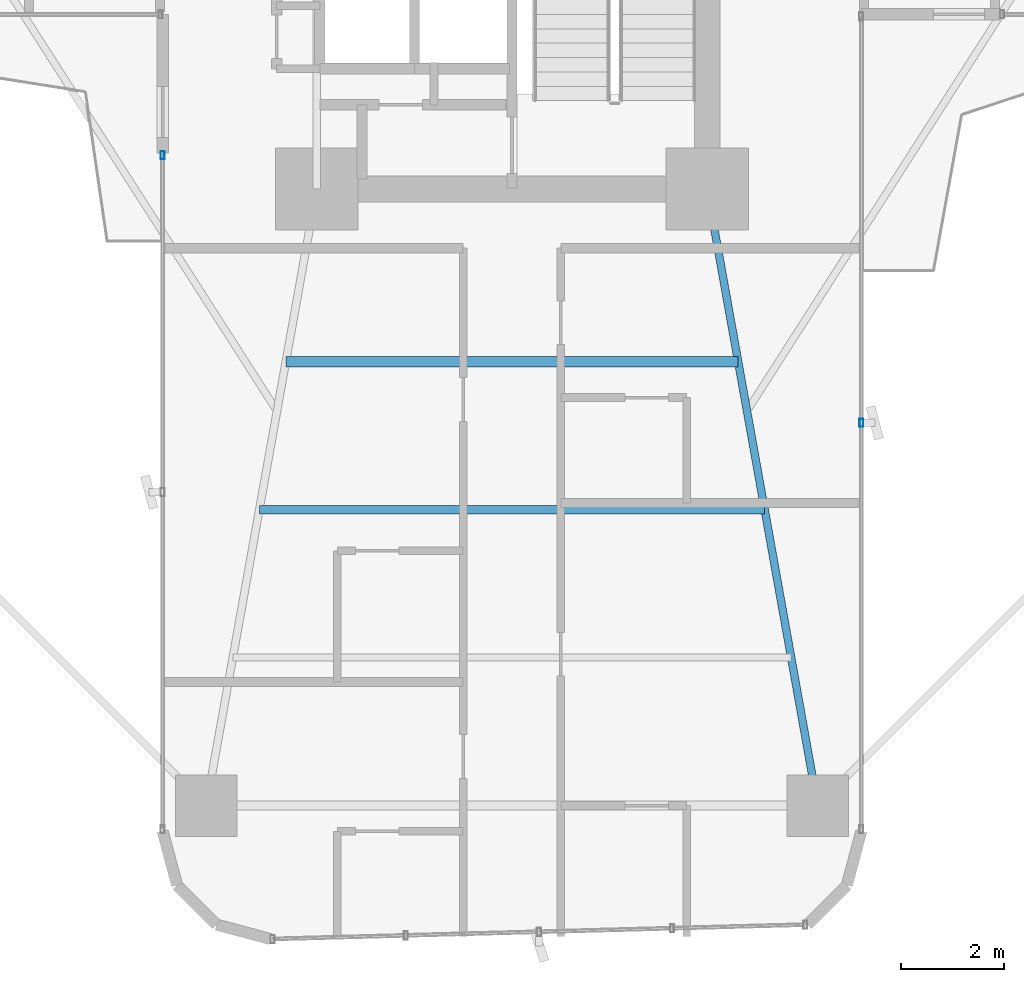
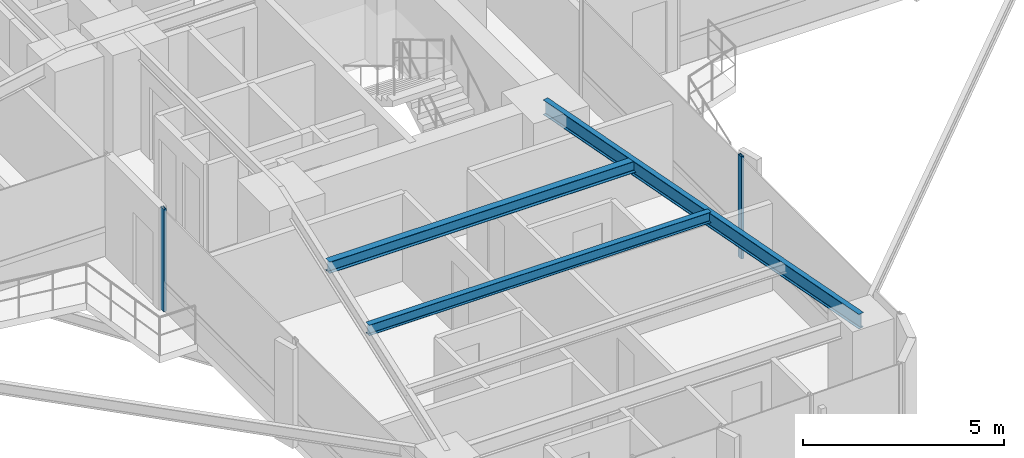
# One storey, part 4 of 26: 3 beams, 2 members, 2 elements without a shape of their own.
"""IFC4 building model written with IfcOpenShell, lengths in metres."""

from ifc_helpers import new_model, si_unit, direction, frame, origin, origin_2d, place, context, subcontext, project, spatial, hollow_rectangle, i_section, extrude, source, transform, mapped, material, material_profile, profile_set, type_object, element, aggregate, save


model = new_model("IFC4")

# Units and contexts
model_context = context("Model", 3, precision=1e-05, world=origin(), true_north=direction((0.0, 1.0)))
body_context = subcontext(model_context, "Body", "Model", "MODEL_VIEW")
ifc_project = project(units=[si_unit("LENGTHUNIT", "METRE"), si_unit("AREAUNIT", "SQUARE_METRE"), si_unit("VOLUMEUNIT", "CUBIC_METRE"), si_unit("PLANEANGLEUNIT", "RADIAN"), si_unit("MASSUNIT", "GRAM", prefix="KILO")], contexts=[model_context])

# Site, building, storey
site_placement = place(None, origin())
site = spatial("IfcSite", under=ifc_project, at=site_placement, CompositionType="ELEMENT")
building_placement = place(site_placement, origin())
building = spatial("IfcBuilding", under=site, at=building_placement, Name="Sahyath Konkavel Grand Hotel", CompositionType="ELEMENT")
storey_placement = place(building_placement, frame((0.0, 0.0, 61.10009765625)))
storey = spatial("IfcBuildingStorey", under=building, at=storey_placement, Name="L16", CompositionType="ELEMENT", Elevation=61.10009765625)

# Beams
ifc_material_1 = material(Name="Steel E350", Category="steel")
ifc_material_profile_1 = material_profile(ifc_material_1, i_section(OverallWidth=0.14990234375, OverallDepth=0.449951171875, WebThickness=0.009521484375, FlangeThickness=0.017333984375, FilletRadius=0.014892578125, at=origin_2d()), Name="ISMB 450")
ifc_profile_set_1 = profile_set([ifc_material_profile_1], Name="Steel E350")
beam_type_1 = type_object("IfcBeamType", Name="BM-ISMB450", PredefinedType="BEAM", material=ifc_profile_set_1)
shared_shape_1 = source(origin(), body_context, "Body", "SweptSolid", [
    extrude(i_section(OverallWidth=0.14990234375, OverallDepth=0.449951171875, WebThickness=0.009521484375, FlangeThickness=0.017333984375, FilletRadius=0.014892578125, at=origin_2d()), origin(), (0.0, 0.0, 1.0), 12.191162109375),
])
beam_1_placement = place(storey_placement, frame((3.800048828125, -10.199951171875, 2.885009765625), z_axis=(0.176350650305, -0.984327409014, 0.0), x_axis=(0.984327409014, 0.176350650305, 0.0)))
element("IfcBeam", 1, at=beam_1_placement, inside=storey, type_object=beam_type_1, Name="L16 Cruciform Radial Girder SB", PredefinedType="BEAM", context=body_context, shape_type="MappedRepresentation", body=[
    mapped(shared_shape_1, transform((0.0, 0.0, 0.0), scale=1.0)),
])
ifc_material_profile_2 = material_profile(ifc_material_1, i_section(OverallWidth=0.199951171875, OverallDepth=0.35009765625, WebThickness=0.008056640625, FlangeThickness=0.011474609375, FilletRadius=0.013916015625, at=origin_2d()), Name="ISWB 350")
ifc_profile_set_2 = profile_set([ifc_material_profile_2], Name="Steel E350")
beam_type_2 = type_object("IfcBeamType", Name="BM-ISWB350", PredefinedType="BEAM", material=ifc_profile_set_2)
shared_shape_2 = source(origin(), body_context, "Body", "SweptSolid", [
    extrude(i_section(OverallWidth=0.199951171875, OverallDepth=0.35009765625, WebThickness=0.008056640625, FlangeThickness=0.011474609375, FilletRadius=0.013916015625, at=origin_2d()), origin(), (0.0, 0.0, 1.0), 8.80419921875),
])
beam_2_placement = place(storey_placement, frame((-4.402099609375, -13.56005859375, 2.934814453125), z_axis=(1.0, 0.0, 0.0), x_axis=(0.0, 1.0, 0.0)))
element("IfcBeam", 2, at=beam_2_placement, inside=storey, type_object=beam_type_2, Name="L16 Secondary Floor Beam S-1", PredefinedType="BEAM", context=body_context, shape_type="MappedRepresentation", body=[
    mapped(shared_shape_2, transform((0.0, 0.0, 0.0), scale=1.0)),
])
ifc_material_profile_3 = material_profile(ifc_material_1, i_section(OverallWidth=0.1650390625, OverallDepth=0.324951171875, WebThickness=0.007080078125, FlangeThickness=0.009765625, FilletRadius=0.014892578125, at=origin_2d()), Name="ISLB 325")
ifc_profile_set_3 = profile_set([ifc_material_profile_3], Name="Steel E350")
beam_type_3 = type_object("IfcBeamType", Name="BM-ISLB325", PredefinedType="BEAM", material=ifc_profile_set_3)
shared_shape_3 = source(origin(), body_context, "Body", "SweptSolid", [
    extrude(i_section(OverallWidth=0.1650390625, OverallDepth=0.324951171875, WebThickness=0.007080078125, FlangeThickness=0.009765625, FilletRadius=0.014892578125, at=origin_2d()), origin(), (0.0, 0.0, 1.0), 9.8359375),
])
beam_3_placement = place(storey_placement, frame((-4.91796875, -16.43994140625, 2.947509765625), z_axis=(1.0, 0.0, 0.0), x_axis=(0.0, 1.0, 0.0)))
element("IfcBeam", 3, at=beam_3_placement, inside=storey, type_object=beam_type_3, Name="L16 Secondary Floor Beam S-2", PredefinedType="BEAM", context=body_context, shape_type="MappedRepresentation", body=[
    mapped(shared_shape_3, transform((0.0, 0.0, 0.0), scale=1.0)),
])

# Curtain wall, member
ifc_material_2 = material(Name="Anodised Bronze Aluminium & Low-E Glazing", Category="aluminium")
curtain_wall_type = type_object("IfcCurtainWallType", Name="CW-ZONE1", PredefinedType="NOTDEFINED", material=ifc_material_2)
curtain_wall_1_placement = place(storey_placement, origin())
curtain_wall_1 = element("IfcCurtainWall", 4, at=curtain_wall_1_placement, inside=storey, type_object=curtain_wall_type, Name="L16 Unitised Curtain Wall F24", PredefinedType="NOTDEFINED")
ifc_material_3 = material(Name="Anodised Bronze Aluminium", Category="aluminium")
ifc_material_profile_4 = material_profile(ifc_material_3, hollow_rectangle(XDim=0.080078125, YDim=0.159912109375, WallThickness=0.006103515625, at=origin_2d()), Name="RHS 160x80x6")
ifc_profile_set_4 = profile_set([ifc_material_profile_4], Name="Anodised Bronze Aluminium")
member_type = type_object("IfcMemberType", Name="CW-MUL-160", PredefinedType="MULLION", material=ifc_profile_set_4)
shared_shape_4 = source(origin(), body_context, "Body", "SweptSolid", [
    extrude(hollow_rectangle(XDim=0.080078125, YDim=0.159912109375, WallThickness=0.006103515625, at=origin_2d()), origin(), (0.0, 0.0, 1.0), 3.10986328125),
])
member_1_placement = place(storey_placement, frame((-6.800048828125, -9.5400390625, 0.0), z_axis=(0.0, 0.0, 1.0), x_axis=(1.0, 0.0, 0.0)))
member_1 = element("IfcMember", 5, at=member_1_placement, type_object=member_type, Name="L16 Curtain Wall Mullion F24-0", PredefinedType="MULLION", context=body_context, shape_type="MappedRepresentation", body=[
    mapped(shared_shape_4, transform((0.0, 0.0, 0.0), scale=1.0)),
])
aggregate(curtain_wall_1, [member_1])

curtain_wall_2_placement = place(storey_placement, origin())
curtain_wall_2 = element("IfcCurtainWall", 6, at=curtain_wall_2_placement, inside=storey, type_object=curtain_wall_type, Name="L16 Unitised Curtain Wall F31", PredefinedType="NOTDEFINED")
member_2_placement = place(storey_placement, frame((6.800048828125, -14.75, 0.0), z_axis=(0.0, 0.0, 1.0), x_axis=(1.0, 0.0, 0.0)))
member_2 = element("IfcMember", 7, at=member_2_placement, type_object=member_type, Name="L16 Curtain Wall Mullion F31-1", PredefinedType="MULLION", context=body_context, shape_type="MappedRepresentation", body=[
    mapped(shared_shape_4, transform((0.0, 0.0, 0.0), scale=1.0)),
])
aggregate(curtain_wall_2, [member_2])

save(model, "model.ifc")
